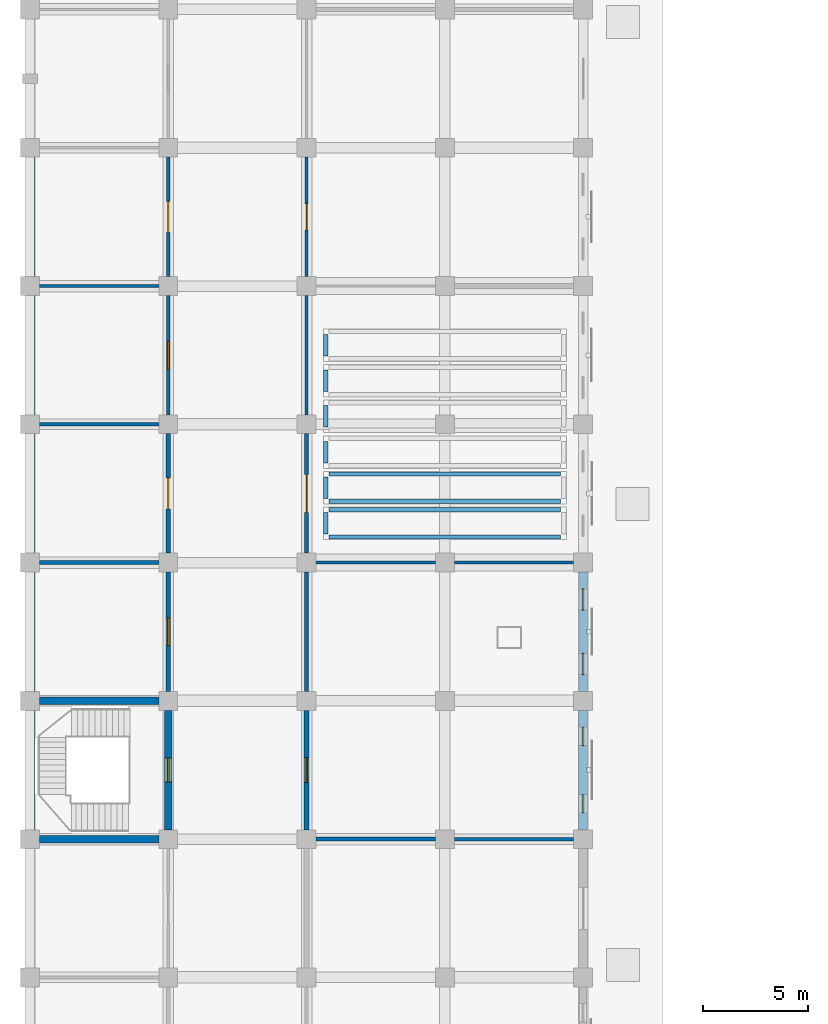
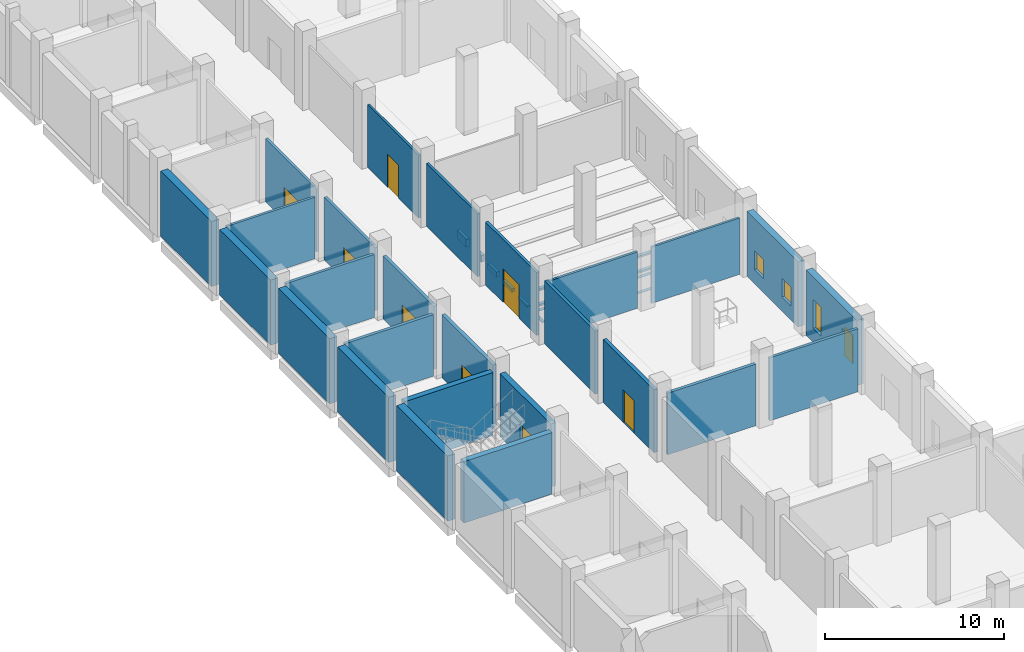
# One storey, part 14 of 28: 36 walls, 8 doors, 4 windows, 12 openings.
"""IFC4 building model written with IfcOpenShell, lengths in metres."""

from ifc_helpers import new_model, si_unit, direction, frame, frame_2d, origin, place, context, subcontext, project, spatial, rectangle, extrude, material, layer, layer_set, type_object, element, fill, save


model = new_model("IFC4")

# Units and contexts
model_context = context("Model", 3, precision=1e-05, world=origin(), true_north=direction((0.0, 1.0)))
body_context = subcontext(model_context, "Body", "Model", "MODEL_VIEW")
ifc_project = project(units=[si_unit("LENGTHUNIT", "METRE"), si_unit("AREAUNIT", "SQUARE_METRE"), si_unit("VOLUMEUNIT", "CUBIC_METRE"), si_unit("PLANEANGLEUNIT", "RADIAN"), si_unit("MASSUNIT", "GRAM", prefix="KILO")], contexts=[model_context])

# Site, building, storey
site_placement = place(None, origin())
site = spatial("IfcSite", under=ifc_project, at=site_placement, CompositionType="ELEMENT")
building_placement = place(site_placement, origin())
building = spatial("IfcBuilding", under=site, at=building_placement, Name="Rusizi Kubbe Research Institute", CompositionType="ELEMENT")
storey_placement = place(building_placement, origin())
storey = spatial("IfcBuildingStorey", under=building, at=storey_placement, Name="L00", CompositionType="ELEMENT", Elevation=0.0)

# Walls
ifc_material_1 = material(Name="Concrete C45/55", Category="concrete")
ifc_layer_1 = layer(ifc_material_1, 0.35009765625)
ifc_layer_set_1 = layer_set([ifc_layer_1], Name="Concrete C45/55")
wall_type_1 = type_object("IfcWallType", Name="CRW-01", PredefinedType="SHEAR", material=ifc_layer_set_1)
wall_1_placement = place(storey_placement, frame((0.449951171875, 66.0, 0.0), z_axis=(0.0, 0.0, 1.0), x_axis=(1.0, 0.0, 0.0)))
element("IfcWall", 1, at=wall_1_placement, inside=storey, type_object=wall_type_1, Name="Stair Core Shear Wall ST5 L00 S", PredefinedType="SHEAR", context=body_context, shape_type="SweptSolid", body=[
    extrude(rectangle(XDim=5.699951171875, YDim=0.35009765625, at=frame_2d((2.85009765625, 0.0))), origin(), (0.0, 0.0, 1.0), 4.199951171875),
])
wall_2_placement = place(storey_placement, frame((0.449951171875, 72.60009765625, 0.0), z_axis=(0.0, 0.0, 1.0), x_axis=(1.0, 0.0, 0.0)))
element("IfcWall", 2, at=wall_2_placement, inside=storey, type_object=wall_type_1, Name="Stair Core Shear Wall ST5 L00 N", PredefinedType="SHEAR", context=body_context, shape_type="SweptSolid", body=[
    extrude(rectangle(XDim=5.699951171875, YDim=0.35009765625, at=frame_2d((2.85009765625, 0.0))), origin(), (0.0, 0.0, 1.0), 4.300048828125),
])

# Wall, opening, door
wall_3_placement = place(storey_placement, frame((6.60009765625, 66.449951171875, 0.0), z_axis=(0.0, 0.0, 1.0), x_axis=(0.0, 1.0, 0.0)))
wall_3 = element("IfcWall", 3, at=wall_3_placement, inside=storey, type_object=wall_type_1, Name="Stair Core Shear Wall ST5 L00 E", PredefinedType="SHEAR", context=body_context, shape_type="SweptSolid", body=[
    extrude(rectangle(XDim=5.699951171875, YDim=0.35009765625, at=frame_2d((2.85009765625, 0.0))), origin(), (0.0, 0.0, 1.0), 4.300048828125),
])
opening_1_placement = place(wall_3_placement, frame((2.27490234375, 0.0, 0.0)))
opening_1 = element("IfcOpeningElement", 4, at=opening_1_placement, cuts=wall_3, Name="Opening D-02", PredefinedType="OPENING", context=body_context, shape_type="SweptSolid", body=[
    extrude(rectangle(XDim=1.14990234375, YDim=2.199951171875, at=frame_2d((0.574951171875, 1.10009765625))), frame((0.0, 0.18505859375, 0.0), z_axis=(0.0, -1.0, 0.0), x_axis=(1.0, 0.0, 0.0)), (0.0, 0.0, 1.0), 0.3701171875),
])
ifc_material_2 = material(Name="Fire-Rated Steel Frame and Acoustic Timber Leaf", Category="wood")
door_type_1 = type_object("IfcDoorType", Name="ID-STAIR-115", OperationType="NOTDEFINED", PredefinedType="DOOR", material=ifc_material_2)
door_1_placement = place(opening_1_placement, origin())
door_1 = element("IfcDoor", 5, at=door_1_placement, inside=storey, type_object=door_type_1, Name="Exit Stair Door ST5 L00", OperationType="SINGLE_SWING_RIGHT", OverallHeight=2.199951171875, OverallWidth=1.14990234375, PredefinedType="DOOR", context=body_context, shape_type="SweptSolid", body=[
    extrude(rectangle(XDim=1.14990234375, YDim=2.199951171875, at=frame_2d((0.574951171875, 1.10009765625))), frame((0.0, 0.02490234375, 0.0), z_axis=(0.0, -1.0, 0.0), x_axis=(1.0, 0.0, 0.0)), (0.0, 0.0, 1.0), 0.050048828125),
])
fill(opening_1, door_1)

# Wall, openings, windows
ifc_material_3 = material(Name="Volcanic Basalt Ashlar Masonry", Category="masonry")
ifc_layer_2 = layer(ifc_material_3, 0.419921875)
ifc_layer_set_2 = layer_set([ifc_layer_2], Name="Volcanic Basalt Ashlar Masonry")
wall_type_2 = type_object("IfcWallType", Name="EW-02", PredefinedType="SOLIDWALL", material=ifc_layer_set_2)
wall_4_placement = place(storey_placement, frame((26.39990234375, 66.449951171875, 0.0), z_axis=(0.0, 0.0, 1.0), x_axis=(0.0, 1.0, 0.0)))
wall_4 = element("IfcWall", 6, at=wall_4_placement, inside=storey, type_object=wall_type_2, Name="Ablaq Stone Exterior Wall L00 V4-10", PredefinedType="SOLIDWALL", context=body_context, shape_type="SweptSolid", body=[
    extrude(rectangle(XDim=5.699951171875, YDim=0.419921875, at=frame_2d((2.85009765625, 0.0))), origin(), (0.0, 0.0, 1.0), 4.449951171875),
])
opening_2_placement = place(wall_4_placement, frame((0.800048828125, 0.0, 0.949951171875)))
opening_2 = element("IfcOpeningElement", 7, at=opening_2_placement, cuts=wall_4, Name="Opening WN-04", PredefinedType="OPENING", context=body_context, shape_type="SweptSolid", body=[
    extrude(rectangle(XDim=0.8798828125, YDim=1.9599609375, at=frame_2d((0.43994140625, 0.97998046875))), frame((0.0, 0.219970703125, 0.0), z_axis=(0.0, -1.0, 0.0), x_axis=(1.0, 0.0, 0.0)), (0.0, 0.0, 1.0), 0.43994140625),
])
opening_3_placement = place(wall_4_placement, frame((4.02001953125, 0.0, 0.949951171875)))
opening_3 = element("IfcOpeningElement", 8, at=opening_3_placement, cuts=wall_4, Name="Opening WN-04", PredefinedType="OPENING", context=body_context, shape_type="SweptSolid", body=[
    extrude(rectangle(XDim=0.8798828125, YDim=1.9599609375, at=frame_2d((0.43994140625, 0.97998046875))), frame((0.0, 0.219970703125, 0.0), z_axis=(0.0, -1.0, 0.0), x_axis=(1.0, 0.0, 0.0)), (0.0, 0.0, 1.0), 0.43994140625),
])
ifc_material_4 = material(Name="Aluminium Frame and Solar-Control Double Glazing", Category="glass")
window_type_1 = type_object("IfcWindowType", Name="WN-04", PartitioningType="SINGLE_PANEL", PredefinedType="WINDOW", material=ifc_material_4)
window_1_placement = place(opening_2_placement, origin())
window_1 = element("IfcWindow", 9, at=window_1_placement, inside=storey, type_object=window_type_1, Name="Casement Window WN-04 L00", OverallHeight=1.9599609375, OverallWidth=0.8798828125, PartitioningType="SINGLE_PANEL", PredefinedType="WINDOW", context=body_context, shape_type="SweptSolid", body=[
    extrude(rectangle(XDim=0.8798828125, YDim=1.9599609375, at=frame_2d((0.43994140625, 0.97998046875))), frame((0.0, 0.030029296875, 0.0), z_axis=(0.0, -1.0, 0.0), x_axis=(1.0, 0.0, 0.0)), (0.0, 0.0, 1.0), 0.06005859375),
])
fill(opening_2, window_1)
window_2_placement = place(opening_3_placement, origin())
window_2 = element("IfcWindow", 10, at=window_2_placement, inside=storey, type_object=window_type_1, Name="Casement Window WN-04 L00", OverallHeight=1.9599609375, OverallWidth=0.8798828125, PartitioningType="SINGLE_PANEL", PredefinedType="WINDOW", context=body_context, shape_type="SweptSolid", body=[
    extrude(rectangle(XDim=0.8798828125, YDim=1.9599609375, at=frame_2d((0.43994140625, 0.97998046875))), frame((0.0, 0.030029296875, 0.0), z_axis=(0.0, -1.0, 0.0), x_axis=(1.0, 0.0, 0.0)), (0.0, 0.0, 1.0), 0.06005859375),
])
fill(opening_3, window_2)

ifc_material_5 = material(Name="Volcanic Basalt Ashlar Masonry", Category="masonry")
ifc_layer_3 = layer(ifc_material_5, 0.39990234375)
ifc_layer_set_3 = layer_set([ifc_layer_3], Name="Volcanic Basalt Ashlar Masonry")
wall_type_3 = type_object("IfcWallType", Name="EW-03", PredefinedType="SOLIDWALL", material=ifc_layer_set_3)
wall_5_placement = place(storey_placement, frame((26.39990234375, 73.050048828125, 0.0), z_axis=(0.0, 0.0, 1.0), x_axis=(0.0, 1.0, 0.0)))
wall_5 = element("IfcWall", 11, at=wall_5_placement, inside=storey, type_object=wall_type_3, Name="Ablaq Stone Exterior Wall L00 V4-11", PredefinedType="SOLIDWALL", context=body_context, shape_type="SweptSolid", body=[
    extrude(rectangle(XDim=5.699951171875, YDim=0.39990234375, at=frame_2d((2.85009765625, 0.0))), origin(), (0.0, 0.0, 1.0), 4.449951171875),
])
opening_4_placement = place(wall_5_placement, frame((0.800048828125, 0.0, 0.949951171875)))
opening_4 = element("IfcOpeningElement", 12, at=opening_4_placement, cuts=wall_5, Name="Opening WN-05", PredefinedType="OPENING", context=body_context, shape_type="SweptSolid", body=[
    extrude(rectangle(XDim=1.02001953125, YDim=1.300048828125, at=frame_2d((0.510009765625, 0.64990234375))), frame((0.0, 0.2099609375, 0.0), z_axis=(0.0, -1.0, 0.0), x_axis=(1.0, 0.0, 0.0)), (0.0, 0.0, 1.0), 0.419921875),
])
opening_5_placement = place(wall_5_placement, frame((3.8798828125, 0.0, 0.949951171875)))
opening_5 = element("IfcOpeningElement", 13, at=opening_5_placement, cuts=wall_5, Name="Opening WN-05", PredefinedType="OPENING", context=body_context, shape_type="SweptSolid", body=[
    extrude(rectangle(XDim=1.02001953125, YDim=1.300048828125, at=frame_2d((0.510009765625, 0.64990234375))), frame((0.0, 0.2099609375, 0.0), z_axis=(0.0, -1.0, 0.0), x_axis=(1.0, 0.0, 0.0)), (0.0, 0.0, 1.0), 0.419921875),
])
ifc_material_6 = material(Name="Aluminium Frame and Solar-Control Double Glazing", Category="glass")
window_type_2 = type_object("IfcWindowType", Name="WN-05", PartitioningType="SINGLE_PANEL", PredefinedType="WINDOW", material=ifc_material_6)
window_3_placement = place(opening_4_placement, origin())
window_3 = element("IfcWindow", 14, at=window_3_placement, inside=storey, type_object=window_type_2, Name="Casement Window WN-05 L00", OverallHeight=1.300048828125, OverallWidth=1.02001953125, PartitioningType="SINGLE_PANEL", PredefinedType="WINDOW", context=body_context, shape_type="SweptSolid", body=[
    extrude(rectangle(XDim=1.02001953125, YDim=1.300048828125, at=frame_2d((0.510009765625, 0.64990234375))), frame((0.0, 0.030029296875, 0.0), z_axis=(0.0, -1.0, 0.0), x_axis=(1.0, 0.0, 0.0)), (0.0, 0.0, 1.0), 0.06005859375),
])
fill(opening_4, window_3)
window_4_placement = place(opening_5_placement, origin())
window_4 = element("IfcWindow", 15, at=window_4_placement, inside=storey, type_object=window_type_2, Name="Casement Window WN-05 L00", OverallHeight=1.300048828125, OverallWidth=1.02001953125, PartitioningType="SINGLE_PANEL", PredefinedType="WINDOW", context=body_context, shape_type="SweptSolid", body=[
    extrude(rectangle(XDim=1.02001953125, YDim=1.300048828125, at=frame_2d((0.510009765625, 0.64990234375))), frame((0.0, 0.030029296875, 0.0), z_axis=(0.0, -1.0, 0.0), x_axis=(1.0, 0.0, 0.0)), (0.0, 0.0, 1.0), 0.06005859375),
])
fill(opening_5, window_4)

# Wall, opening, door
ifc_material_7 = material(Name="Concrete Blockwork Fire Partition", Category="masonry")
ifc_layer_4 = layer(ifc_material_7, 0.22509765625)
ifc_layer_set_4 = layer_set([ifc_layer_4], Name="Concrete Blockwork Fire Partition")
wall_type_4 = type_object("IfcWallType", Name="IW-01", PredefinedType="PARTITIONING", material=ifc_layer_set_4)
wall_6_placement = place(storey_placement, frame((6.60009765625, 73.050048828125, 0.0), z_axis=(0.0, 0.0, 1.0), x_axis=(0.0, 1.0, 0.0)))
wall_6 = element("IfcWall", 16, at=wall_6_placement, inside=storey, type_object=wall_type_4, Name="Interior Partition Wall L00 V1-11", PredefinedType="PARTITIONING", context=body_context, shape_type="SweptSolid", body=[
    extrude(rectangle(XDim=5.699951171875, YDim=0.22509765625, at=frame_2d((2.85009765625, 0.0))), origin(), (0.0, 0.0, 1.0), 4.300048828125),
])
opening_6_placement = place(wall_6_placement, frame((2.18994140625, 0.0, 0.0)))
opening_6 = element("IfcOpeningElement", 17, at=opening_6_placement, cuts=wall_6, Name="Opening LD-07", PredefinedType="OPENING", context=body_context, shape_type="SweptSolid", body=[
    extrude(rectangle(XDim=1.320068359375, YDim=2.199951171875, at=frame_2d((0.66015625, 1.10009765625))), frame((0.0, 0.12255859375, 0.0), z_axis=(0.0, -1.0, 0.0), x_axis=(1.0, 0.0, 0.0)), (0.0, 0.0, 1.0), 0.2451171875),
])
ifc_material_8 = material(Name="Brushed Stainless Steel Sliding Door", Category="steel")
door_type_2 = type_object("IfcDoorType", Name="LD-07", OperationType="DOUBLE_DOOR_SLIDING", PredefinedType="USERDEFINED", material=ifc_material_8)
door_2_placement = place(opening_6_placement, origin())
door_2 = element("IfcDoor", 18, at=door_2_placement, inside=storey, type_object=door_type_2, Name="Door to Clean Room Gowning Airlock (L00-ALK-11)", ObjectType="SLIDING DOOR", OperationType="DOUBLE_DOOR_SLIDING", OverallHeight=2.199951171875, OverallWidth=1.320068359375, PredefinedType="USERDEFINED", context=body_context, shape_type="SweptSolid", body=[
    extrude(rectangle(XDim=1.320068359375, YDim=2.199951171875, at=frame_2d((0.66015625, 1.10009765625))), frame((0.0, 0.02490234375, 0.0), z_axis=(0.0, -1.0, 0.0), x_axis=(1.0, 0.0, 0.0)), (0.0, 0.0, 1.0), 0.050048828125),
])
fill(opening_6, door_2)

wall_7_placement = place(storey_placement, frame((13.199951171875, 66.449951171875, 0.0), z_axis=(0.0, 0.0, 1.0), x_axis=(0.0, 1.0, 0.0)))
wall_7 = element("IfcWall", 19, at=wall_7_placement, inside=storey, type_object=wall_type_4, Name="Interior Partition Wall L00 V2-10", PredefinedType="PARTITIONING", context=body_context, shape_type="SweptSolid", body=[
    extrude(rectangle(XDim=5.699951171875, YDim=0.22509765625, at=frame_2d((2.85009765625, 0.0))), origin(), (0.0, 0.0, 1.0), 4.300048828125),
])
opening_7_placement = place(wall_7_placement, frame((2.260009765625, 0.0, 0.0)))
opening_7 = element("IfcOpeningElement", 20, at=opening_7_placement, cuts=wall_7, Name="Opening D-19", PredefinedType="OPENING", context=body_context, shape_type="SweptSolid", body=[
    extrude(rectangle(XDim=1.179931640625, YDim=2.199951171875, at=frame_2d((0.58984375, 1.10009765625))), frame((0.0, 0.12255859375, 0.0), z_axis=(0.0, -1.0, 0.0), x_axis=(1.0, 0.0, 0.0)), (0.0, 0.0, 1.0), 0.2451171875),
])
ifc_material_9 = material(Name="Fire-Rated Steel Frame and Acoustic Timber Leaf", Category="wood")
door_type_3 = type_object("IfcDoorType", Name="ID-OFF-118", OperationType="NOTDEFINED", PredefinedType="DOOR", material=ifc_material_9)
door_3_placement = place(opening_7_placement, origin())
door_3 = element("IfcDoor", 21, at=door_3_placement, inside=storey, type_object=door_type_3, Name="Door to Write-up Office (L00-NW-05)", OperationType="SINGLE_SWING_RIGHT", OverallHeight=2.199951171875, OverallWidth=1.179931640625, PredefinedType="DOOR", context=body_context, shape_type="SweptSolid", body=[
    extrude(rectangle(XDim=1.179931640625, YDim=2.199951171875, at=frame_2d((0.58984375, 1.10009765625))), frame((0.0, 0.02490234375, 0.0), z_axis=(0.0, -1.0, 0.0), x_axis=(1.0, 0.0, 0.0)), (0.0, 0.0, 1.0), 0.050048828125),
])
fill(opening_7, door_3)

# Wall
ifc_material_10 = material(Name="Insulated Cleanroom Partition", Category="masonry")
ifc_layer_5 = layer(ifc_material_10, 0.195068359375)
ifc_layer_set_5 = layer_set([ifc_layer_5], Name="Insulated Cleanroom Partition")
wall_type_5 = type_object("IfcWallType", Name="IW-02", PredefinedType="PARTITIONING", material=ifc_layer_set_5)
wall_8_placement = place(storey_placement, frame((0.449951171875, 79.199951171875, 0.0), z_axis=(0.0, 0.0, 1.0), x_axis=(1.0, 0.0, 0.0)))
element("IfcWall", 22, at=wall_8_placement, inside=storey, type_object=wall_type_5, Name="Interior Partition Wall L00 H0-12", PredefinedType="PARTITIONING", context=body_context, shape_type="SweptSolid", body=[
    extrude(rectangle(XDim=5.699951171875, YDim=0.195068359375, at=frame_2d((2.85009765625, 0.0))), origin(), (0.0, 0.0, 1.0), 4.199951171875),
])

# Wall, opening, door
wall_9_placement = place(storey_placement, frame((6.60009765625, 79.64990234375, 0.0), z_axis=(0.0, 0.0, 1.0), x_axis=(0.0, 1.0, 0.0)))
wall_9 = element("IfcWall", 23, at=wall_9_placement, inside=storey, type_object=wall_type_5, Name="Interior Partition Wall L00 V1-12", PredefinedType="PARTITIONING", context=body_context, shape_type="SweptSolid", body=[
    extrude(rectangle(XDim=5.7001953125, YDim=0.195068359375, at=frame_2d((2.85009765625, 0.0))), origin(), (0.0, 0.0, 1.0), 4.300048828125),
])
opening_8_placement = place(wall_9_placement, frame((2.110107421875, 0.0, 0.0)))
opening_8 = element("IfcOpeningElement", 24, at=opening_8_placement, cuts=wall_9, Name="Opening LD-08", PredefinedType="OPENING", context=body_context, shape_type="SweptSolid", body=[
    extrude(rectangle(XDim=1.47998046875, YDim=2.25, at=frame_2d((0.739990234375, 1.125))), frame((0.0, 0.107421875, 0.0), z_axis=(0.0, -1.0, 0.0), x_axis=(1.0, 0.0, 0.0)), (0.0, 0.0, 1.0), 0.215087890625),
])
ifc_material_11 = material(Name="Brushed Stainless Steel Sliding Door", Category="steel")
door_type_4 = type_object("IfcDoorType", Name="LD-08", OperationType="DOUBLE_DOOR_SLIDING", PredefinedType="USERDEFINED", material=ifc_material_11)
door_4_placement = place(opening_8_placement, origin())
door_4 = element("IfcDoor", 25, at=door_4_placement, inside=storey, type_object=door_type_4, Name="Door to ISO-6 Clean Room Suite (L00-CR-12)", ObjectType="SLIDING DOOR", OperationType="DOUBLE_DOOR_SLIDING", OverallHeight=2.25, OverallWidth=1.47998046875, PredefinedType="USERDEFINED", context=body_context, shape_type="SweptSolid", body=[
    extrude(rectangle(XDim=1.47998046875, YDim=2.25, at=frame_2d((0.739990234375, 1.125))), frame((0.0, 0.02490234375, 0.0), z_axis=(0.0, -1.0, 0.0), x_axis=(1.0, 0.0, 0.0)), (0.0, 0.0, 1.0), 0.050048828125),
])
fill(opening_8, door_4)

# Walls
wall_10_placement = place(storey_placement, frame((13.199951171875, 73.050048828125, 0.0), z_axis=(0.0, 0.0, 1.0), x_axis=(0.0, 1.0, 0.0)))
element("IfcWall", 26, at=wall_10_placement, inside=storey, type_object=wall_type_5, Name="Interior Partition Wall L00 V2-11", PredefinedType="PARTITIONING", context=body_context, shape_type="SweptSolid", body=[
    extrude(rectangle(XDim=5.699951171875, YDim=0.195068359375, at=frame_2d((2.85009765625, 0.0))), origin(), (0.0, 0.0, 1.0), 4.300048828125),
])
wall_11_placement = place(storey_placement, frame((13.64990234375, 66.0, 0.0), z_axis=(0.0, 0.0, 1.0), x_axis=(1.0, 0.0, 0.0)))
element("IfcWall", 27, at=wall_11_placement, inside=storey, type_object=wall_type_5, Name="Interior Partition Wall L00 H2-10", PredefinedType="PARTITIONING", context=body_context, shape_type="SweptSolid", body=[
    extrude(rectangle(XDim=5.7001953125, YDim=0.195068359375, at=frame_2d((2.85009765625, 0.0))), origin(), (0.0, 0.0, 1.0), 4.199951171875),
])
ifc_material_12 = material(Name="Acoustic Laboratory Partition", Category="masonry")
ifc_layer_6 = layer(ifc_material_12, 0.175048828125)
ifc_layer_set_6 = layer_set([ifc_layer_6], Name="Acoustic Laboratory Partition")
wall_type_6 = type_object("IfcWallType", Name="IW-03", PredefinedType="PARTITIONING", material=ifc_layer_set_6)
wall_12_placement = place(storey_placement, frame((0.449951171875, 85.800048828125, 0.0), z_axis=(0.0, 0.0, 1.0), x_axis=(1.0, 0.0, 0.0)))
element("IfcWall", 28, at=wall_12_placement, inside=storey, type_object=wall_type_6, Name="Interior Partition Wall L00 H0-13", PredefinedType="PARTITIONING", context=body_context, shape_type="SweptSolid", body=[
    extrude(rectangle(XDim=5.699951171875, YDim=0.175048828125, at=frame_2d((2.85009765625, 0.0))), origin(), (0.0, 0.0, 1.0), 4.300048828125),
])

# Wall, opening, door
wall_13_placement = place(storey_placement, frame((6.60009765625, 86.25, 0.0), z_axis=(0.0, 0.0, 1.0), x_axis=(0.0, 1.0, 0.0)))
wall_13 = element("IfcWall", 29, at=wall_13_placement, inside=storey, type_object=wall_type_6, Name="Interior Partition Wall L00 V1-13", PredefinedType="PARTITIONING", context=body_context, shape_type="SweptSolid", body=[
    extrude(rectangle(XDim=5.699951171875, YDim=0.175048828125, at=frame_2d((2.85009765625, 0.0))), origin(), (0.0, 0.0, 1.0), 4.300048828125),
])
opening_9_placement = place(wall_13_placement, frame((2.18994140625, 0.0, 0.0)))
opening_9 = element("IfcOpeningElement", 30, at=opening_9_placement, cuts=wall_13, Name="Opening LD-07", PredefinedType="OPENING", context=body_context, shape_type="SweptSolid", body=[
    extrude(rectangle(XDim=1.320068359375, YDim=2.199951171875, at=frame_2d((0.66015625, 1.10009765625))), frame((0.0, 0.097412109375, 0.0), z_axis=(0.0, -1.0, 0.0), x_axis=(1.0, 0.0, 0.0)), (0.0, 0.0, 1.0), 0.195068359375),
])
door_5_placement = place(opening_9_placement, origin())
door_5 = element("IfcDoor", 31, at=door_5_placement, inside=storey, type_object=door_type_2, Name="Door to Clean Room Gowning Airlock (L00-ALK-13)", ObjectType="SLIDING DOOR", OperationType="DOUBLE_DOOR_SLIDING", OverallHeight=2.199951171875, OverallWidth=1.320068359375, PredefinedType="USERDEFINED", context=body_context, shape_type="SweptSolid", body=[
    extrude(rectangle(XDim=1.320068359375, YDim=2.199951171875, at=frame_2d((0.66015625, 1.10009765625))), frame((0.0, 0.02490234375, 0.0), z_axis=(0.0, -1.0, 0.0), x_axis=(1.0, 0.0, 0.0)), (0.0, 0.0, 1.0), 0.050048828125),
])
fill(opening_9, door_5)

wall_14_placement = place(storey_placement, frame((13.199951171875, 79.64990234375, 0.0), z_axis=(0.0, 0.0, 1.0), x_axis=(0.0, 1.0, 0.0)))
wall_14 = element("IfcWall", 32, at=wall_14_placement, inside=storey, type_object=wall_type_6, Name="Interior Partition Wall L00 V2-12", PredefinedType="PARTITIONING", context=body_context, shape_type="SweptSolid", body=[
    extrude(rectangle(XDim=5.7001953125, YDim=0.175048828125, at=frame_2d((2.85009765625, 0.0))), origin(), (0.0, 0.0, 1.0), 4.300048828125),
])
opening_10_placement = place(wall_14_placement, frame((1.949951171875, 0.0, 0.0)))
opening_10 = element("IfcOpeningElement", 33, at=opening_10_placement, cuts=wall_14, Name="Opening D-08", PredefinedType="OPENING", context=body_context, shape_type="SweptSolid", body=[
    extrude(rectangle(XDim=1.800048828125, YDim=2.300048828125, at=frame_2d((0.89990234375, 1.14990234375))), frame((0.0, 0.097412109375, 0.0), z_axis=(0.0, -1.0, 0.0), x_axis=(1.0, 0.0, 0.0)), (0.0, 0.0, 1.0), 0.195068359375),
])
ifc_material_13 = material(Name="Fire-Rated Steel Frame and Acoustic Timber Leaf", Category="wood")
door_type_5 = type_object("IfcDoorType", Name="ID-DBL-180", OperationType="DOUBLE_DOOR_SINGLE_SWING", PredefinedType="DOOR", material=ifc_material_13)
door_6_placement = place(opening_10_placement, origin())
door_6 = element("IfcDoor", 34, at=door_6_placement, inside=storey, type_object=door_type_5, Name="Door to Lecture Theatre (L00-LEC-01)", OperationType="DOUBLE_DOOR_SINGLE_SWING", OverallHeight=2.300048828125, OverallWidth=1.800048828125, PredefinedType="DOOR", context=body_context, shape_type="SweptSolid", body=[
    extrude(rectangle(XDim=1.800048828125, YDim=2.300048828125, at=frame_2d((0.89990234375, 1.14990234375))), frame((0.0, 0.02490234375, 0.0), z_axis=(0.0, -1.0, 0.0), x_axis=(1.0, 0.0, 0.0)), (0.0, 0.0, 1.0), 0.050048828125),
])
fill(opening_10, door_6)

# Walls
wall_15_placement = place(storey_placement, frame((20.25, 66.0, 0.0), z_axis=(0.0, 0.0, 1.0), x_axis=(1.0, 0.0, 0.0)))
element("IfcWall", 35, at=wall_15_placement, inside=storey, type_object=wall_type_6, Name="Interior Partition Wall L00 H3-10", PredefinedType="PARTITIONING", context=body_context, shape_type="SweptSolid", body=[
    extrude(rectangle(XDim=5.699951171875, YDim=0.175048828125, at=frame_2d((2.85009765625, 0.0))), origin(), (0.0, 0.0, 1.0), 4.300048828125),
])
ifc_material_14 = material(Name="Fire-Rated Corridor Partition", Category="masonry")
ifc_layer_7 = layer(ifc_material_14, 0.155029296875)
ifc_layer_set_7 = layer_set([ifc_layer_7], Name="Fire-Rated Corridor Partition")
wall_type_7 = type_object("IfcWallType", Name="IW-04", PredefinedType="PARTITIONING", material=ifc_layer_set_7)
wall_16_placement = place(storey_placement, frame((0.449951171875, 92.39990234375, 0.0), z_axis=(0.0, 0.0, 1.0), x_axis=(1.0, 0.0, 0.0)))
element("IfcWall", 36, at=wall_16_placement, inside=storey, type_object=wall_type_7, Name="Interior Partition Wall L00 H0-14", PredefinedType="PARTITIONING", context=body_context, shape_type="SweptSolid", body=[
    extrude(rectangle(XDim=5.699951171875, YDim=0.155029296875, at=frame_2d((2.85009765625, 0.0))), origin(), (0.0, 0.0, 1.0), 4.199951171875),
])

# Wall, opening, door
wall_17_placement = place(storey_placement, frame((6.60009765625, 92.85009765625, 0.0), z_axis=(0.0, 0.0, 1.0), x_axis=(0.0, 1.0, 0.0)))
wall_17 = element("IfcWall", 37, at=wall_17_placement, inside=storey, type_object=wall_type_7, Name="Interior Partition Wall L00 V1-14", PredefinedType="PARTITIONING", context=body_context, shape_type="SweptSolid", body=[
    extrude(rectangle(XDim=5.699951171875, YDim=0.155029296875, at=frame_2d((2.85009765625, 0.0))), origin(), (0.0, 0.0, 1.0), 4.300048828125),
])
opening_11_placement = place(wall_17_placement, frame((2.110107421875, 0.0, 0.0)))
opening_11 = element("IfcOpeningElement", 38, at=opening_11_placement, cuts=wall_17, Name="Opening LD-08", PredefinedType="OPENING", context=body_context, shape_type="SweptSolid", body=[
    extrude(rectangle(XDim=1.47998046875, YDim=2.25, at=frame_2d((0.739990234375, 1.125))), frame((0.0, 0.08740234375, 0.0), z_axis=(0.0, -1.0, 0.0), x_axis=(1.0, 0.0, 0.0)), (0.0, 0.0, 1.0), 0.175048828125),
])
door_7_placement = place(opening_11_placement, origin())
door_7 = element("IfcDoor", 39, at=door_7_placement, inside=storey, type_object=door_type_4, Name="Door to ISO-6 Clean Room Suite (L00-CR-14)", ObjectType="SLIDING DOOR", OperationType="DOUBLE_DOOR_SLIDING", OverallHeight=2.25, OverallWidth=1.47998046875, PredefinedType="USERDEFINED", context=body_context, shape_type="SweptSolid", body=[
    extrude(rectangle(XDim=1.47998046875, YDim=2.25, at=frame_2d((0.739990234375, 1.125))), frame((0.0, 0.02490234375, 0.0), z_axis=(0.0, -1.0, 0.0), x_axis=(1.0, 0.0, 0.0)), (0.0, 0.0, 1.0), 0.050048828125),
])
fill(opening_11, door_7)

# Walls
wall_18_placement = place(storey_placement, frame((13.199951171875, 86.25, 0.0), z_axis=(0.0, 0.0, 1.0), x_axis=(0.0, 1.0, 0.0)))
element("IfcWall", 40, at=wall_18_placement, inside=storey, type_object=wall_type_7, Name="Interior Partition Wall L00 V2-13", PredefinedType="PARTITIONING", context=body_context, shape_type="SweptSolid", body=[
    extrude(rectangle(XDim=5.699951171875, YDim=0.155029296875, at=frame_2d((2.85009765625, 0.0))), origin(), (0.0, 0.0, 1.0), 4.300048828125),
])
wall_19_placement = place(storey_placement, frame((13.64990234375, 79.199951171875, 0.0), z_axis=(0.0, 0.0, 1.0), x_axis=(1.0, 0.0, 0.0)))
element("IfcWall", 41, at=wall_19_placement, inside=storey, type_object=wall_type_7, Name="Interior Partition Wall L00 H2-12", PredefinedType="PARTITIONING", context=body_context, shape_type="SweptSolid", body=[
    extrude(rectangle(XDim=5.7001953125, YDim=0.155029296875, at=frame_2d((2.85009765625, 0.0))), origin(), (0.0, 0.0, 1.0), 3.85009765625),
])

# Wall, opening, door
ifc_material_15 = material(Name="Write-up Glazed Acoustic Partition", Category="masonry")
ifc_layer_8 = layer(ifc_material_15, 0.139892578125)
ifc_layer_set_8 = layer_set([ifc_layer_8], Name="Write-up Glazed Acoustic Partition")
wall_type_8 = type_object("IfcWallType", Name="IW-05", PredefinedType="PARTITIONING", material=ifc_layer_set_8)
wall_20_placement = place(storey_placement, frame((13.199951171875, 92.85009765625, 0.0), z_axis=(0.0, 0.0, 1.0), x_axis=(0.0, 1.0, 0.0)))
wall_20 = element("IfcWall", 42, at=wall_20_placement, inside=storey, type_object=wall_type_8, Name="Interior Partition Wall L00 V2-14", PredefinedType="PARTITIONING", context=body_context, shape_type="SweptSolid", body=[
    extrude(rectangle(XDim=5.699951171875, YDim=0.139892578125, at=frame_2d((2.85009765625, 0.0))), origin(), (0.0, 0.0, 1.0), 4.300048828125),
])
opening_12_placement = place(wall_20_placement, frame((2.22509765625, 0.0, 0.0)))
opening_12 = element("IfcOpeningElement", 43, at=opening_12_placement, cuts=wall_20, Name="Opening D-15", PredefinedType="OPENING", context=body_context, shape_type="SweptSolid", body=[
    extrude(rectangle(XDim=1.25, YDim=2.25, at=frame_2d((0.625, 1.125))), frame((0.0, 0.079833984375, 0.0), z_axis=(0.0, -1.0, 0.0), x_axis=(1.0, 0.0, 0.0)), (0.0, 0.0, 1.0), 0.159912109375),
])
ifc_material_16 = material(Name="Fire-Rated Steel Frame and Acoustic Timber Leaf", Category="wood")
door_type_6 = type_object("IfcDoorType", Name="ID-LAB-125", OperationType="NOTDEFINED", PredefinedType="DOOR", material=ifc_material_16)
door_8_placement = place(opening_12_placement, origin())
door_8 = element("IfcDoor", 44, at=door_8_placement, inside=storey, type_object=door_type_6, Name="Door to Bioscience Wet Laboratory (L00-NW-06)", OperationType="SINGLE_SWING_LEFT", OverallHeight=2.25, OverallWidth=1.25, PredefinedType="DOOR", context=body_context, shape_type="SweptSolid", body=[
    extrude(rectangle(XDim=1.25, YDim=2.25, at=frame_2d((0.625, 1.125))), frame((0.0, 0.02490234375, 0.0), z_axis=(0.0, -1.0, 0.0), x_axis=(1.0, 0.0, 0.0)), (0.0, 0.0, 1.0), 0.050048828125),
])
fill(opening_12, door_8)

# Walls
wall_21_placement = place(storey_placement, frame((20.25, 79.199951171875, 0.0), z_axis=(0.0, 0.0, 1.0), x_axis=(1.0, 0.0, 0.0)))
element("IfcWall", 45, at=wall_21_placement, inside=storey, type_object=wall_type_8, Name="Interior Partition Wall L00 H3-12", PredefinedType="PARTITIONING", context=body_context, shape_type="SweptSolid", body=[
    extrude(rectangle(XDim=5.699951171875, YDim=0.139892578125, at=frame_2d((2.85009765625, 0.0))), origin(), (0.0, 0.0, 1.0), 3.85009765625),
])
ifc_material_17 = material(Name="Concrete C40/50", Category="concrete")
ifc_layer_9 = layer(ifc_material_17, 0.47998046875)
ifc_layer_set_9 = layer_set([ifc_layer_9], Name="Concrete C40/50")
wall_type_9 = type_object("IfcWallType", Name="PW-01", PredefinedType="SOLIDWALL", material=ifc_layer_set_9)
for number, where, z_axis, x_axis, name in (
    (46, (0.0, 66.449951171875, 0.0), (0.0, 0.0, 1.0), (0.0, 1.0, 0.0), "Blind Party Wall L00 V0-10"),
    (47, (0.0, 73.050048828125, 0.0), (0.0, 0.0, 1.0), (0.0, 1.0, 0.0), "Blind Party Wall L00 V0-11"),
):
    element("IfcWall", number, at=place(storey_placement, frame(where, z_axis=z_axis, x_axis=x_axis)), inside=storey, type_object=wall_type_9, Name=name, PredefinedType="SOLIDWALL", context=body_context, shape_type="SweptSolid", body=[
        extrude(rectangle(XDim=5.699951171875, YDim=0.47998046875, at=frame_2d((2.85009765625, 0.0))), origin(), (0.0, 0.0, 1.0), 4.449951171875),
    ])
wall_22_placement = place(storey_placement, frame((0.0, 79.64990234375, 0.0), z_axis=(0.0, 0.0, 1.0), x_axis=(0.0, 1.0, 0.0)))
element("IfcWall", 48, at=wall_22_placement, inside=storey, type_object=wall_type_9, Name="Blind Party Wall L00 V0-12", PredefinedType="SOLIDWALL", context=body_context, shape_type="SweptSolid", body=[
    extrude(rectangle(XDim=5.7001953125, YDim=0.47998046875, at=frame_2d((2.85009765625, 0.0))), origin(), (0.0, 0.0, 1.0), 4.449951171875),
])
for number, where, z_axis, x_axis, name in (
    (49, (0.0, 86.25, 0.0), (0.0, 0.0, 1.0), (0.0, 1.0, 0.0), "Blind Party Wall L00 V0-13"),
    (50, (0.0, 92.85009765625, 0.0), (0.0, 0.0, 1.0), (0.0, 1.0, 0.0), "Blind Party Wall L00 V0-14"),
):
    element("IfcWall", number, at=place(storey_placement, frame(where, z_axis=z_axis, x_axis=x_axis)), inside=storey, type_object=wall_type_9, Name=name, PredefinedType="SOLIDWALL", context=body_context, shape_type="SweptSolid", body=[
        extrude(rectangle(XDim=5.699951171875, YDim=0.47998046875, at=frame_2d((2.85009765625, 0.0))), origin(), (0.0, 0.0, 1.0), 4.449951171875),
    ])
ifc_material_18 = material(Name="Concrete C40/50", Category="concrete")
ifc_layer_10 = layer(ifc_material_18, 0.2099609375)
ifc_layer_set_10 = layer_set([ifc_layer_10], Name="Concrete C40/50")
wall_type_10 = type_object("IfcWallType", Name="RW-ISTEP210", PredefinedType="SOLIDWALL", material=ifc_layer_set_10)
for number, where, z_axis, x_axis, name in (
    (51, (14.280029296875, 80.419921875, 0.0), (0.0, 0.0, 1.0), (1.0, 0.0, 0.0), "Lecture Platform Bearing Wall 1S"),
    (52, (14.280029296875, 81.72998046875, 0.0), (0.0, 0.0, 1.0), (1.0, 0.0, 0.0), "Lecture Platform Bearing Wall 1N"),
):
    element("IfcWall", number, at=place(storey_placement, frame(where, z_axis=z_axis, x_axis=x_axis)), inside=storey, type_object=wall_type_10, Name=name, PredefinedType="SOLIDWALL", context=body_context, shape_type="SweptSolid", body=[
        extrude(rectangle(XDim=11.0400390625, YDim=0.2099609375, at=frame_2d((5.52001953125, 0.0))), origin(), (0.0, 0.0, 1.0), 0.02001953125),
    ])
wall_23_placement = place(storey_placement, frame((14.1201171875, 80.56005859375, 0.0), z_axis=(0.0, 0.0, 1.0), x_axis=(0.0, 1.0, 0.0)))
element("IfcWall", 53, at=wall_23_placement, inside=storey, type_object=wall_type_10, Name="Lecture Platform Cheek Wall 1W", PredefinedType="SOLIDWALL", context=body_context, shape_type="SweptSolid", body=[
    extrude(rectangle(XDim=1.030029296875, YDim=0.2099609375, at=frame_2d((0.51513671875, 0.0))), origin(), (0.0, 0.0, 1.0), 0.02001953125),
])
for number, where, z_axis, x_axis, name in (
    (54, (14.280029296875, 82.1201171875, 0.0), (0.0, 0.0, 1.0), (1.0, 0.0, 0.0), "Lecture Platform Bearing Wall 2S"),
    (55, (14.280029296875, 83.429931640625, 0.0), (0.0, 0.0, 1.0), (1.0, 0.0, 0.0), "Lecture Platform Bearing Wall 2N"),
):
    element("IfcWall", number, at=place(storey_placement, frame(where, z_axis=z_axis, x_axis=x_axis)), inside=storey, type_object=wall_type_10, Name=name, PredefinedType="SOLIDWALL", context=body_context, shape_type="SweptSolid", body=[
        extrude(rectangle(XDim=11.0400390625, YDim=0.2099609375, at=frame_2d((5.52001953125, 0.0))), origin(), (0.0, 0.0, 1.0), 0.1298828125),
    ])
wall_24_placement = place(storey_placement, frame((14.1201171875, 82.260009765625, 0.0), z_axis=(0.0, 0.0, 1.0), x_axis=(0.0, 1.0, 0.0)))
element("IfcWall", 56, at=wall_24_placement, inside=storey, type_object=wall_type_10, Name="Lecture Platform Cheek Wall 2W", PredefinedType="SOLIDWALL", context=body_context, shape_type="SweptSolid", body=[
    extrude(rectangle(XDim=1.030029296875, YDim=0.2099609375, at=frame_2d((0.51513671875, 0.0))), origin(), (0.0, 0.0, 1.0), 0.1298828125),
])
wall_25_placement = place(storey_placement, frame((14.1201171875, 83.9599609375, 0.0), z_axis=(0.0, 0.0, 1.0), x_axis=(0.0, 1.0, 0.0)))
element("IfcWall", 57, at=wall_25_placement, inside=storey, type_object=wall_type_10, Name="Lecture Platform Cheek Wall 3W", PredefinedType="SOLIDWALL", context=body_context, shape_type="SweptSolid", body=[
    extrude(rectangle(XDim=1.030029296875, YDim=0.2099609375, at=frame_2d((0.51513671875, 0.0))), origin(), (0.0, 0.0, 1.0), 0.239990234375),
])
wall_26_placement = place(storey_placement, frame((14.1201171875, 85.659912109375, 0.0), z_axis=(0.0, 0.0, 1.0), x_axis=(0.0, 1.0, 0.0)))
element("IfcWall", 58, at=wall_26_placement, inside=storey, type_object=wall_type_10, Name="Lecture Platform Cheek Wall 4W", PredefinedType="SOLIDWALL", context=body_context, shape_type="SweptSolid", body=[
    extrude(rectangle(XDim=1.030029296875, YDim=0.2099609375, at=frame_2d((0.51513671875, 0.0))), origin(), (0.0, 0.0, 1.0), 0.35009765625),
])
wall_27_placement = place(storey_placement, frame((14.1201171875, 87.360107421875, 0.0), z_axis=(0.0, 0.0, 1.0), x_axis=(0.0, 1.0, 0.0)))
element("IfcWall", 59, at=wall_27_placement, inside=storey, type_object=wall_type_10, Name="Lecture Platform Cheek Wall 5W", PredefinedType="SOLIDWALL", context=body_context, shape_type="SweptSolid", body=[
    extrude(rectangle(XDim=1.02978515625, YDim=0.2099609375, at=frame_2d((0.514892578125, 0.0))), origin(), (0.0, 0.0, 1.0), 0.4599609375),
])
wall_28_placement = place(storey_placement, frame((14.1201171875, 89.06005859375, 0.0), z_axis=(0.0, 0.0, 1.0), x_axis=(0.0, 1.0, 0.0)))
element("IfcWall", 60, at=wall_28_placement, inside=storey, type_object=wall_type_10, Name="Lecture Platform Cheek Wall 6W", PredefinedType="SOLIDWALL", context=body_context, shape_type="SweptSolid", body=[
    extrude(rectangle(XDim=1.030029296875, YDim=0.2099609375, at=frame_2d((0.51513671875, 0.0))), origin(), (0.0, 0.0, 1.0), 0.5400390625),
])

save(model, "model.ifc")
